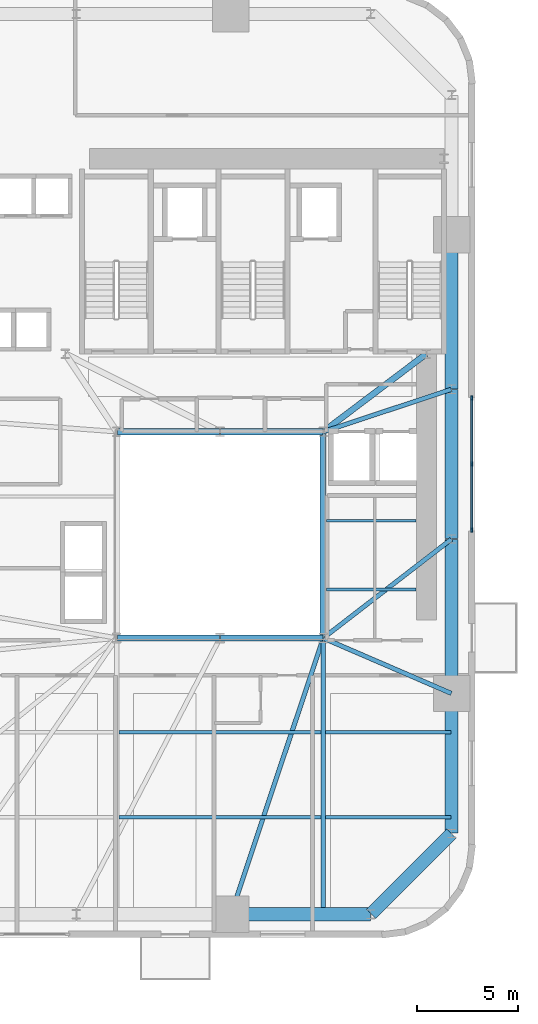
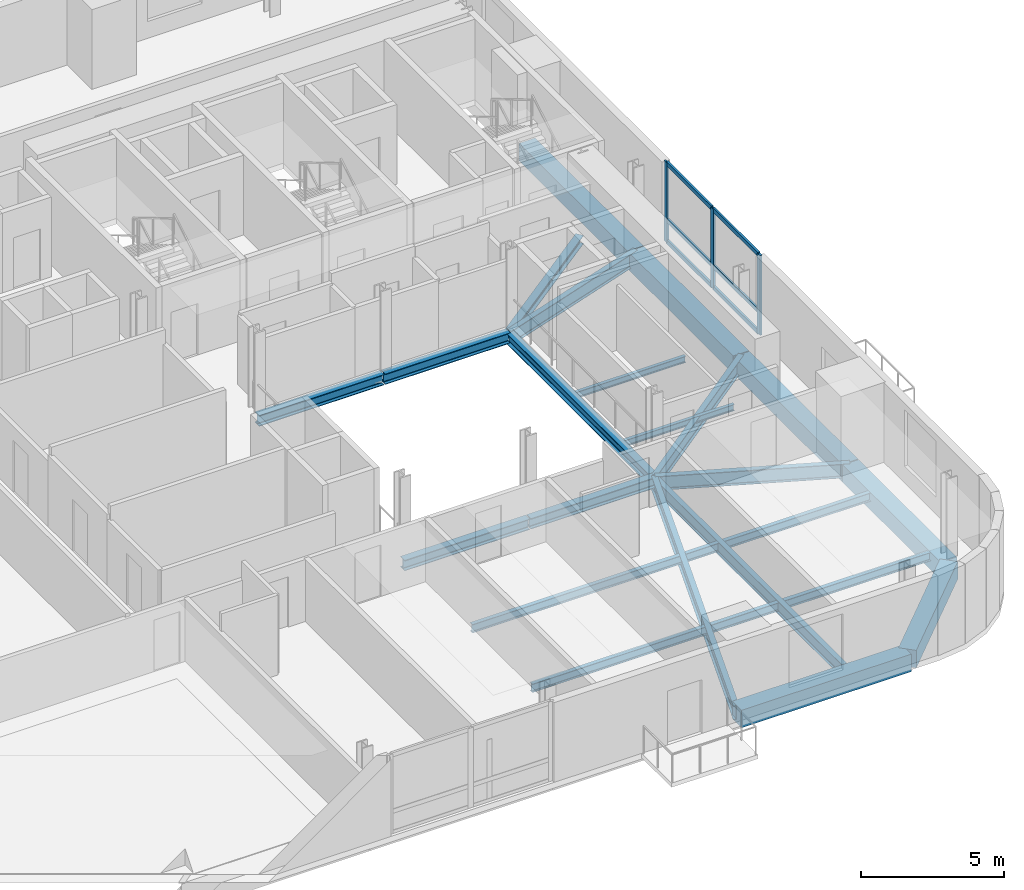
# One storey, part 3 of 13: 23 beams, 9 members, 1 element without a shape of its own.
"""IFC4 building model written with IfcOpenShell, lengths in metres."""

import ifcopenshell
import ifcopenshell.guid

model = None  # the IFC model being written
_history = None  # IfcOwnerHistory: only IFC2X3 demands one
_inside = {}  # id of a spatial element -> (the spatial element, [elements in it])
_under = {}  # id of a project, library or spatial element -> (it, [spatial elements below it])
_declared = {}  # id of a project -> (the project, [libraries it declares])
_typed = {}  # id of a type object -> (the type object, [elements of that type])
_made_of = {}  # id of a material, layer set ... -> (it, [elements and type objects made of it])


def new_model(schema):
    """Start an empty IFC model of exactly this schema.

    Asked for "IFC4X3", IfcOpenShell would pick the latest addendum, in which some entities
    have other attributes; the version numbers below select the first issue.
    IFC2X3 requires an IfcOwnerHistory on every rooted entity: one is made here for all.
    """
    global model, _history
    if schema == "IFC4X3":
        model = ifcopenshell.file(schema_version=(4, 3, 0, 0))
    else:
        model = ifcopenshell.file(schema=schema)
    _inside.clear()
    _under.clear()
    _declared.clear()
    _typed.clear()
    _made_of.clear()
    _history = None
    if model.schema == "IFC2X3":
        org = make("IfcOrganization", Name="unknown")
        user = make(
            "IfcPersonAndOrganization",
            ThePerson=make("IfcPerson", FamilyName="unknown"),
            TheOrganization=org,
        )
        app = make(
            "IfcApplication",
            ApplicationDeveloper=org,
            Version="unknown",
            ApplicationFullName="unknown",
            ApplicationIdentifier="unknown",
        )
        _history = make(
            "IfcOwnerHistory",
            OwningUser=user,
            OwningApplication=app,
            ChangeAction="ADDED",
            CreationDate=0,
        )
    return model


def make(cls, **values):
    """One entity of the class cls with the attributes given. An attribute that is None is left unset."""
    return model.create_entity(
        cls, **{name: value for name, value in values.items() if value is not None}
    )


def rooted(cls, **values):
    """An entity with a GlobalId (a new one), such as an element, a storey or a relation."""
    return make(cls, GlobalId=ifcopenshell.guid.new(), OwnerHistory=_history, **values)


def si_unit(unit_type, name, prefix=None):
    """IfcSIUnit, for example si_unit("LENGTHUNIT", "METRE", prefix="MILLI")."""
    return make("IfcSIUnit", UnitType=unit_type, Prefix=prefix, Name=name)


def assignment(units):
    """IfcUnitAssignment: the units of a project."""
    return None if units is None else make("IfcUnitAssignment", Units=units)


def point(xyz):
    """IfcCartesianPoint."""
    return None if xyz is None else make("IfcCartesianPoint", Coordinates=xyz)


def direction(xyz):
    """IfcDirection."""
    return None if xyz is None else make("IfcDirection", DirectionRatios=xyz)


def frame(location, z_axis=None, x_axis=None):
    """IfcAxis2Placement3D, a coordinate frame: its origin and axes. An axis left out is left unset."""
    return make(
        "IfcAxis2Placement3D",
        Location=point(location),
        Axis=direction(z_axis),
        RefDirection=direction(x_axis),
    )


def frame_2d(location, x_axis=None):
    """IfcAxis2Placement2D, a coordinate frame in the plane: its origin and x axis."""
    return make(
        "IfcAxis2Placement2D", Location=point(location), RefDirection=direction(x_axis)
    )


def origin():
    """The frame at (0, 0, 0) with its axes left unset."""
    return frame((0.0, 0.0, 0.0))


def origin_2d():
    """The frame at (0, 0) in the plane with its x axis left unset."""
    return frame_2d((0.0, 0.0))


def place(relative_to, where):
    """IfcLocalPlacement: puts the frame where relative to a parent placement (None: the world)."""
    return make(
        "IfcLocalPlacement", PlacementRelTo=relative_to, RelativePlacement=where
    )


def context(
    kind, dimensions, precision=None, world=None, true_north=None, identifier=None
):
    """IfcGeometricRepresentationContext, for example the 3D "Model" context."""
    return make(
        "IfcGeometricRepresentationContext",
        ContextIdentifier=identifier,
        ContextType=kind,
        CoordinateSpaceDimension=dimensions,
        Precision=precision,
        WorldCoordinateSystem=world,
        TrueNorth=true_north,
    )


def subcontext(parent, identifier, kind, view, scale=None):
    """IfcGeometricRepresentationSubContext, for example "Body" below "Model"."""
    return make(
        "IfcGeometricRepresentationSubContext",
        ContextIdentifier=identifier,
        ContextType=kind,
        ParentContext=parent,
        TargetScale=scale,
        TargetView=view,
    )


def project(units=None, contexts=None):
    """IfcProject with its units and contexts."""
    return rooted(
        "IfcProject",
        Name="project",
        RepresentationContexts=contexts,
        UnitsInContext=assignment(units),
    )


def spatial(cls, under=None, at=None, **own):
    """A site, building, storey or space (cls), placed at a placement, below another one or the project."""
    s = rooted(cls, ObjectPlacement=at, **own)
    if under is not None:
        _under.setdefault(under.id(), (under, []))[1].append(s)
    return s


def profile(cls, at=None, kind="AREA", **sizes):
    """A parametric profile (cls). Its sizes go by their IFC names, for example OverallWidth=200.0."""
    return make(cls, ProfileType=kind, Position=at, **sizes)


def rectangle(**sizes):
    """IfcRectangleProfileDef."""
    return profile("IfcRectangleProfileDef", **sizes)


def i_section(**sizes):
    """IfcIShapeProfileDef."""
    return profile("IfcIShapeProfileDef", **sizes)


def extrude(swept, where, along, depth):
    """IfcExtrudedAreaSolid: the profile swept, set in the frame where, extruded along a direction by depth."""
    return make(
        "IfcExtrudedAreaSolid",
        SweptArea=swept,
        Position=where,
        ExtrudedDirection=direction(along),
        Depth=depth,
    )


def shape(context_of_items, identifier, shape_type, items):
    """IfcShapeRepresentation: the items that make up one representation, for example the "Body"."""
    return make(
        "IfcShapeRepresentation",
        ContextOfItems=context_of_items,
        RepresentationIdentifier=identifier,
        RepresentationType=shape_type,
        Items=items,
    )


def source(mapping_origin, context_of_items, identifier, shape_type, items):
    """IfcRepresentationMap: a shape defined once, which mapped items show again and again."""
    return make(
        "IfcRepresentationMap",
        MappingOrigin=mapping_origin,
        MappedRepresentation=shape(context_of_items, identifier, shape_type, items),
    )


def transform(
    local_origin,
    x_axis=None,
    y_axis=None,
    z_axis=None,
    scale=None,
    scale2=None,
    scale3=None,
    uniform=True,
):
    """IfcCartesianTransformationOperator3D, or its non-uniform kind. x_axis, y_axis, z_axis: its Axis1, 2, 3."""
    if uniform:
        return make(
            "IfcCartesianTransformationOperator3D",
            Axis1=direction(x_axis),
            Axis2=direction(y_axis),
            LocalOrigin=point(local_origin),
            Scale=scale,
            Axis3=direction(z_axis),
        )
    return make(
        "IfcCartesianTransformationOperator3DnonUniform",
        Axis1=direction(x_axis),
        Axis2=direction(y_axis),
        LocalOrigin=point(local_origin),
        Scale=scale,
        Axis3=direction(z_axis),
        Scale2=scale2,
        Scale3=scale3,
    )


def mapped(mapping_source, mapping_target):
    """IfcMappedItem: shows the shape of a source again, moved by a transform."""
    return make(
        "IfcMappedItem", MappingSource=mapping_source, MappingTarget=mapping_target
    )


def material(Name=None, Category=None):
    """IfcMaterial."""
    return make("IfcMaterial", Name=Name, Category=Category)


def material_profile(
    of_material, cross_section, Name=None, Category=None, Priority=None
):
    """IfcMaterialProfile: a cross section and its material."""
    return make(
        "IfcMaterialProfile",
        Name=Name,
        Material=of_material,
        Profile=cross_section,
        Priority=Priority,
        Category=Category,
    )


def profile_set(profiles, Name=None, composite=None):
    """IfcMaterialProfileSet."""
    return make(
        "IfcMaterialProfileSet",
        Name=Name,
        MaterialProfiles=profiles,
        CompositeProfile=composite,
    )


def made_of(thing, what):
    """Note that an element or type object is made of a material, layer set ...; save() writes the relation."""
    if what is not None:
        _made_of.setdefault(what.id(), (what, []))[1].append(thing)
    return thing


def type_object(cls, material=None, **own):
    """A type object (cls), such as IfcWallType, which elements share."""
    return made_of(rooted(cls, **own), material)


def element(
    cls,
    number,
    at=None,
    inside=None,
    cuts=None,
    type_object=None,
    material=None,
    context=None,
    identifier="Body",
    shape_type=None,
    held_by="IfcProductDefinitionShape",
    body=None,
    shapes=None,
    **own,
):
    """One element of the class cls, such as IfcWall. Its Tag is "e" and its number.

    at: its placement. inside: the storey or other place that contains it. cuts: it is an
    opening in that element (IfcRelVoidsElement). A single representation is given by context,
    identifier, shape_type and body (its items); several are given by shapes. held_by: the class
    of the entity that holds the representations. save() writes the other relations.
    """
    e = rooted(cls, Tag="e%d" % number, ObjectPlacement=at, **own)
    if body is not None:
        shapes = [shape(context, identifier, shape_type, body)]
    if shapes is not None:
        e.Representation = make(held_by, Representations=shapes)
    if inside is not None:
        _inside.setdefault(inside.id(), (inside, []))[1].append(e)
    if cuts is not None:
        rooted(
            "IfcRelVoidsElement", RelatingBuildingElement=cuts, RelatedOpeningElement=e
        )
    if type_object is not None:
        _typed.setdefault(type_object.id(), (type_object, []))[1].append(e)
    return made_of(e, material)


def aggregate(whole, parts):
    """IfcRelAggregates: a whole, such as a stair, and the parts it consists of."""
    return rooted("IfcRelAggregates", RelatingObject=whole, RelatedObjects=parts)


def save(model, path):
    """Write the relations noted so far, then the file.

    IfcRelAggregates (storeys below a building ...), IfcRelContainedInSpatialStructure (elements
    in a storey), IfcRelDefinesByType, IfcRelAssociatesMaterial and IfcRelDeclares: one each for
    every whole, place, type object, material and project.
    """
    for whole, parts in _under.values():
        aggregate(whole, parts)
    for where, things in _inside.values():
        rooted(
            "IfcRelContainedInSpatialStructure",
            RelatedElements=things,
            RelatingStructure=where,
        )
    for kind, things in _typed.values():
        rooted("IfcRelDefinesByType", RelatedObjects=things, RelatingType=kind)
    for what, things in _made_of.values():
        rooted("IfcRelAssociatesMaterial", RelatedObjects=things, RelatingMaterial=what)
    for by, libraries in _declared.values():
        rooted("IfcRelDeclares", RelatingContext=by, RelatedDefinitions=libraries)
    model.write(path)


model = new_model("IFC4")

# Units and contexts
model_context = context("Model", 3, precision=1e-05, world=origin(), true_north=direction((0.0, 1.0)))
body_context = subcontext(model_context, "Body", "Model", "MODEL_VIEW")
ifc_project = project(units=[si_unit("LENGTHUNIT", "METRE"), si_unit("AREAUNIT", "SQUARE_METRE"), si_unit("VOLUMEUNIT", "CUBIC_METRE"), si_unit("PLANEANGLEUNIT", "RADIAN"), si_unit("MASSUNIT", "GRAM", prefix="KILO")], contexts=[model_context])

# Site, building, storey
site_placement = place(None, origin())
site = spatial("IfcSite", under=ifc_project, at=site_placement, CompositionType="ELEMENT")
building_placement = place(site_placement, origin())
building = spatial("IfcBuilding", under=site, at=building_placement, Name="Vardaveli Station Tower", CompositionType="ELEMENT")
storey_placement = place(building_placement, frame((0.0, 0.0, 45.85009765625)))
storey = spatial("IfcBuildingStorey", under=building, at=storey_placement, Name="L11", CompositionType="ELEMENT", Elevation=45.85009765625)

# Beams
ifc_material_1 = material(Name="Structural steel S355J2", Category="steel")
ifc_material_profile_1 = material_profile(ifc_material_1, i_section(OverallWidth=0.300048828125, OverallDepth=0.449951171875, WebThickness=0.013916015625, FlangeThickness=0.02587890625, FilletRadius=0.027099609375, at=origin_2d()), Name="HEB 450")
ifc_profile_set_1 = profile_set([ifc_material_profile_1], Name="Structural steel S355J2")
beam_type_1 = type_object("IfcBeamType", Name="BM-HEB450", PredefinedType="BEAM", material=ifc_profile_set_1)
shared_shape_1 = source(origin(), body_context, "Body", "SweptSolid", [
    extrude(i_section(OverallWidth=0.300048828125, OverallDepth=0.449951171875, WebThickness=0.013916015625, FlangeThickness=0.02587890625, FilletRadius=0.027099609375, at=origin_2d()), origin(), (0.0, 0.0, 1.0), 5.06005859375),
])
for number, where, z_axis, x_axis, name in (
    (1, (31.219970703125, 16.60009765625, -0.465087890625), (1.0, 0.0, 0.0), (0.0, 1.0, 0.0), "ABM-L11-01"),
    (2, (36.280029296875, 26.800048828125, -0.465087890625), (-1.0, 0.0, 0.0), (0.0, -1.0, 0.0), "ABM-L11-05"),
):
    element("IfcBeam", number, at=place(storey_placement, frame(where, z_axis=z_axis, x_axis=x_axis)), inside=storey, type_object=beam_type_1, Name=name, PredefinedType="BEAM", context=body_context, shape_type="MappedRepresentation", body=[
        mapped(shared_shape_1, transform((0.0, 0.0, 0.0), scale=1.0)),
    ])
shared_shape_2 = source(origin(), body_context, "Body", "SweptSolid", [
    extrude(i_section(OverallWidth=0.300048828125, OverallDepth=0.449951171875, WebThickness=0.013916015625, FlangeThickness=0.02587890625, FilletRadius=0.027099609375, at=origin_2d()), origin(), (0.0, 0.0, 1.0), 5.059814453125),
])
for number, where, z_axis, x_axis, name in (
    (3, (36.320068359375, 16.60009765625, -0.465087890625), (1.0, 0.0, 0.0), (0.0, 1.0, 0.0), "ABM-L11-02"),
    (4, (41.3798828125, 26.800048828125, -0.465087890625), (-1.0, 0.0, 0.0), (0.0, -1.0, 0.0), "ABM-L11-04"),
):
    element("IfcBeam", number, at=place(storey_placement, frame(where, z_axis=z_axis, x_axis=x_axis)), inside=storey, type_object=beam_type_1, Name=name, PredefinedType="BEAM", context=body_context, shape_type="MappedRepresentation", body=[
        mapped(shared_shape_2, transform((0.0, 0.0, 0.0), scale=1.0)),
    ])
shared_shape_3 = source(origin(), body_context, "Body", "SweptSolid", [
    extrude(i_section(OverallWidth=0.300048828125, OverallDepth=0.449951171875, WebThickness=0.013916015625, FlangeThickness=0.02587890625, FilletRadius=0.027099609375, at=origin_2d()), origin(), (0.0, 0.0, 1.0), 10.159912109375),
])
beam_1_placement = place(storey_placement, frame((41.39990234375, 16.6201171875, -0.465087890625), z_axis=(0.0, 1.0, 0.0), x_axis=(-1.0, 0.0, 0.0)))
element("IfcBeam", 5, at=beam_1_placement, inside=storey, type_object=beam_type_1, Name="ABM-L11-03", PredefinedType="BEAM", context=body_context, shape_type="MappedRepresentation", body=[
    mapped(shared_shape_3, transform((0.0, 0.0, 0.0), scale=1.0)),
])
ifc_material_profile_2 = material_profile(ifc_material_1, i_section(OverallWidth=0.300048828125, OverallDepth=0.360107421875, WebThickness=0.012451171875, FlangeThickness=0.0224609375, FilletRadius=0.027099609375, at=origin_2d()), Name="HEB 360")
ifc_profile_set_2 = profile_set([ifc_material_profile_2], Name="Structural steel S355J2")
beam_type_2 = type_object("IfcBeamType", Name="BM-HEB360", PredefinedType="BEAM", material=ifc_profile_set_2)
shared_shape_4 = source(origin(), body_context, "Body", "SweptSolid", [
    extrude(i_section(OverallWidth=0.300048828125, OverallDepth=0.360107421875, WebThickness=0.012451171875, FlangeThickness=0.0224609375, FilletRadius=0.027099609375, at=origin_2d()), origin(), (0.0, 0.0, 1.0), 6.35009765625),
])
beam_2_placement = place(storey_placement, frame((41.416015625, 26.81201171875, -0.420166015625), z_axis=(0.798118337722, 0.602500721154, 0.0), x_axis=(-0.602500721154, 0.798118337722, 0.0)))
element("IfcBeam", 6, at=beam_2_placement, inside=storey, type_object=beam_type_2, Name="CBM-L11-02", PredefinedType="BEAM", context=body_context, shape_type="MappedRepresentation", body=[
    mapped(shared_shape_4, transform((0.0, 0.0, 0.0), scale=1.0)),
])
ifc_material_2 = material(Name="Precast concrete C45/55", Category="concrete")
ifc_material_profile_3 = material_profile(ifc_material_2, rectangle(XDim=0.64990234375, YDim=0.75, at=origin_2d()), Name="LPB 650x750")
ifc_profile_set_3 = profile_set([ifc_material_profile_3], Name="Precast concrete C45/55")
beam_type_3 = type_object("IfcBeamType", Name="BM-LPB-750", PredefinedType="BEAM", material=ifc_profile_set_3)
shared_shape_5 = source(origin(), body_context, "Body", "SweptSolid", [
    extrude(rectangle(XDim=0.64990234375, YDim=0.75, at=origin_2d()), origin(), (0.0, 0.0, 1.0), 7.60009765625),
])
for number, where, z_axis, x_axis, name in (
    (7, (47.75, 13.8798828125, -0.614990234375), (0.0, 1.0, 0.0), (-1.0, 0.0, 0.0), "RBM-L11-07"),
    (8, (47.75, 28.919921875, -0.614990234375), (0.0, 1.0, 0.0), (-1.0, 0.0, 0.0), "RBM-L11-09"),
):
    element("IfcBeam", number, at=place(storey_placement, frame(where, z_axis=z_axis, x_axis=x_axis)), inside=storey, type_object=beam_type_3, Name=name, PredefinedType="BEAM", context=body_context, shape_type="MappedRepresentation", body=[
        mapped(shared_shape_5, transform((0.0, 0.0, 0.0), scale=1.0)),
    ])
shared_shape_6 = source(origin(), body_context, "Body", "SweptSolid", [
    extrude(rectangle(XDim=0.64990234375, YDim=0.75, at=origin_2d()), origin(), (0.0, 0.0, 1.0), 7.35986328125),
])
beam_3_placement = place(storey_placement, frame((47.75, 21.52001953125, -0.614990234375), z_axis=(0.0, 1.0, 0.0), x_axis=(-1.0, 0.0, 0.0)))
element("IfcBeam", 9, at=beam_3_placement, inside=storey, type_object=beam_type_3, Name="RBM-L11-08", PredefinedType="BEAM", context=body_context, shape_type="MappedRepresentation", body=[
    mapped(shared_shape_6, transform((0.0, 0.0, 0.0), scale=1.0)),
])
shared_shape_7 = source(origin(), body_context, "Body", "SweptSolid", [
    extrude(rectangle(XDim=0.64990234375, YDim=0.75, at=origin_2d()), origin(), (0.0, 0.0, 1.0), 6.869873046875),
])
beam_4_placement = place(storey_placement, frame((36.860107421875, 2.949951171875, -0.614990234375), z_axis=(1.0, 0.0, 0.0), x_axis=(0.0, 1.0, 0.0)))
element("IfcBeam", 10, at=beam_4_placement, inside=storey, type_object=beam_type_3, Name="RBM-L11-04", PredefinedType="BEAM", context=body_context, shape_type="MappedRepresentation", body=[
    mapped(shared_shape_7, transform((0.0, 0.0, 0.0), scale=1.0)),
])
shared_shape_8 = source(origin(), body_context, "Body", "SweptSolid", [
    extrude(rectangle(XDim=0.64990234375, YDim=0.75, at=origin_2d()), origin(), (0.0, 0.0, 1.0), 5.61669921875),
])
beam_5_placement = place(storey_placement, frame((43.76416015625, 2.964111328125, -0.614990234375), z_axis=(0.707106781187, 0.707106781187, 0.0), x_axis=(-0.707106781187, 0.707106781187, 0.0)))
element("IfcBeam", 11, at=beam_5_placement, inside=storey, type_object=beam_type_3, Name="RBM-L11-05", PredefinedType="BEAM", context=body_context, shape_type="MappedRepresentation", body=[
    mapped(shared_shape_8, transform((0.0, 0.0, 0.0), scale=1.0)),
])
shared_shape_9 = source(origin(), body_context, "Body", "SweptSolid", [
    extrude(rectangle(XDim=0.64990234375, YDim=0.75, at=origin_2d()), origin(), (0.0, 0.0, 1.0), 6.8701171875),
])
beam_6_placement = place(storey_placement, frame((47.75, 6.969970703125, -0.614990234375), z_axis=(0.0, 1.0, 0.0), x_axis=(-1.0, 0.0, 0.0)))
element("IfcBeam", 12, at=beam_6_placement, inside=storey, type_object=beam_type_3, Name="RBM-L11-06", PredefinedType="BEAM", context=body_context, shape_type="MappedRepresentation", body=[
    mapped(shared_shape_9, transform((0.0, 0.0, 0.0), scale=1.0)),
])
ifc_material_profile_4 = material_profile(ifc_material_1, i_section(OverallWidth=0.219970703125, OverallDepth=0.60009765625, WebThickness=0.011962890625, FlangeThickness=0.01904296875, FilletRadius=0.02392578125, at=origin_2d()), Name="IPE 600")
ifc_profile_set_4 = profile_set([ifc_material_profile_4], Name="Structural steel S355J2")
beam_type_4 = type_object("IfcBeamType", Name="BM-IPE600", PredefinedType="BEAM", material=ifc_profile_set_4)
shared_shape_10 = source(origin(), body_context, "Body", "SweptSolid", [
    extrude(i_section(OverallWidth=0.219970703125, OverallDepth=0.60009765625, WebThickness=0.011962890625, FlangeThickness=0.01904296875, FilletRadius=0.02392578125, at=origin_2d()), origin(), (0.0, 0.0, 1.0), 14.3515625),
])
beam_7_placement = place(storey_placement, frame((36.846435546875, 2.968994140625, -0.5400390625), z_axis=(0.316840115921, 0.948478961782, 0.0), x_axis=(-0.948478961782, 0.316840115921, 0.0)))
element("IfcBeam", 13, at=beam_7_placement, inside=storey, type_object=beam_type_4, Name="GBM-L11-04", PredefinedType="BEAM", context=body_context, shape_type="MappedRepresentation", body=[
    mapped(shared_shape_10, transform((0.0, 0.0, 0.0), scale=1.0)),
])
shared_shape_11 = source(origin(), body_context, "Body", "SweptSolid", [
    extrude(i_section(OverallWidth=0.219970703125, OverallDepth=0.60009765625, WebThickness=0.011962890625, FlangeThickness=0.01904296875, FilletRadius=0.02392578125, at=origin_2d()), origin(), (0.0, 0.0, 1.0), 6.8759765625),
])
beam_8_placement = place(storey_placement, frame((47.731689453125, 13.867919921875, -0.5400390625), z_axis=(-0.918170694621, 0.396185026899, 0.0), x_axis=(-0.396185026899, -0.918170694621, 0.0)))
element("IfcBeam", 14, at=beam_8_placement, inside=storey, type_object=beam_type_4, Name="GBM-L11-05", PredefinedType="BEAM", context=body_context, shape_type="MappedRepresentation", body=[
    mapped(shared_shape_11, transform((0.0, 0.0, 0.0), scale=1.0)),
])
shared_shape_12 = source(origin(), body_context, "Body", "SweptSolid", [
    extrude(i_section(OverallWidth=0.219970703125, OverallDepth=0.60009765625, WebThickness=0.011962890625, FlangeThickness=0.01904296875, FilletRadius=0.02392578125, at=origin_2d()), origin(), (0.0, 0.0, 1.0), 7.980712890625),
])
beam_9_placement = place(storey_placement, frame((47.734130859375, 21.48779296875, -0.5400390625), z_axis=(-0.791701934907, -0.610907559509, 0.0), x_axis=(0.610907559509, -0.791701934907, 0.0)))
element("IfcBeam", 15, at=beam_9_placement, inside=storey, type_object=beam_type_4, Name="GBM-L11-06", PredefinedType="BEAM", context=body_context, shape_type="MappedRepresentation", body=[
    mapped(shared_shape_12, transform((0.0, 0.0, 0.0), scale=1.0)),
])
shared_shape_13 = source(origin(), body_context, "Body", "SweptSolid", [
    extrude(i_section(OverallWidth=0.219970703125, OverallDepth=0.60009765625, WebThickness=0.011962890625, FlangeThickness=0.01904296875, FilletRadius=0.02392578125, at=origin_2d()), origin(), (0.0, 0.0, 1.0), 6.648193359375),
])
beam_10_placement = place(storey_placement, frame((47.73095703125, 28.893798828125, -0.5400390625), z_axis=(-0.949429779906, -0.313979446824, 0.0), x_axis=(0.313979446824, -0.949429779906, 0.0)))
element("IfcBeam", 16, at=beam_10_placement, inside=storey, type_object=beam_type_4, Name="GBM-L11-07", PredefinedType="BEAM", context=body_context, shape_type="MappedRepresentation", body=[
    mapped(shared_shape_13, transform((0.0, 0.0, 0.0), scale=1.0)),
])
ifc_material_profile_5 = material_profile(ifc_material_1, i_section(OverallWidth=0.2099609375, OverallDepth=0.550048828125, WebThickness=0.010986328125, FlangeThickness=0.01708984375, FilletRadius=0.02392578125, at=origin_2d()), Name="IPE 550")
ifc_profile_set_5 = profile_set([ifc_material_profile_5], Name="Structural steel S355J2")
beam_type_5 = type_object("IfcBeamType", Name="BM-IPE550", PredefinedType="BEAM", material=ifc_profile_set_5)
shared_shape_14 = source(origin(), body_context, "Body", "SweptSolid", [
    extrude(i_section(OverallWidth=0.2099609375, OverallDepth=0.550048828125, WebThickness=0.010986328125, FlangeThickness=0.01708984375, FilletRadius=0.02392578125, at=origin_2d()), origin(), (0.0, 0.0, 1.0), 13.469970703125),
])
beam_11_placement = place(storey_placement, frame((41.39990234375, 2.989990234375, -0.51513671875), z_axis=(0.0, 1.0, 0.0), x_axis=(-1.0, 0.0, 0.0)))
element("IfcBeam", 17, at=beam_11_placement, inside=storey, type_object=beam_type_5, Name="NSM-L11-S2", PredefinedType="BEAM", context=body_context, shape_type="MappedRepresentation", body=[
    mapped(shared_shape_14, transform((0.0, 0.0, 0.0), scale=1.0)),
])
ifc_material_profile_6 = material_profile(ifc_material_1, i_section(OverallWidth=0.169921875, OverallDepth=0.360107421875, WebThickness=0.008056640625, FlangeThickness=0.0126953125, FilletRadius=0.01806640625, at=origin_2d()), Name="IPE 360")
ifc_profile_set_6 = profile_set([ifc_material_profile_6], Name="Structural steel S355J2")
beam_type_6 = type_object("IfcBeamType", Name="BM-IPE360", PredefinedType="JOIST", material=ifc_profile_set_6)
shared_shape_15 = source(origin(), body_context, "Body", "SweptSolid", [
    extrude(i_section(OverallWidth=0.169921875, OverallDepth=0.360107421875, WebThickness=0.008056640625, FlangeThickness=0.0126953125, FilletRadius=0.01806640625, at=origin_2d()), origin(), (0.0, 0.0, 1.0), 9.97607421875),
])
for number, where, z_axis, x_axis, name in (
    (18, (31.31201171875, 7.75, -0.420166015625), (1.0, 0.0, 0.0), (0.0, 1.0, 0.0), "SJ-L11-S02"),
    (19, (31.31201171875, 11.949951171875, -0.420166015625), (1.0, 0.0, 0.0), (0.0, 1.0, 0.0), "SJ-L11-S05"),
):
    element("IfcBeam", number, at=place(storey_placement, frame(where, z_axis=z_axis, x_axis=x_axis)), inside=storey, type_object=beam_type_6, Name=name, PredefinedType="JOIST", context=body_context, shape_type="MappedRepresentation", body=[
        mapped(shared_shape_15, transform((0.0, 0.0, 0.0), scale=1.0)),
    ])
shared_shape_16 = source(origin(), body_context, "Body", "SweptSolid", [
    extrude(i_section(OverallWidth=0.169921875, OverallDepth=0.360107421875, WebThickness=0.008056640625, FlangeThickness=0.0126953125, FilletRadius=0.01806640625, at=origin_2d()), origin(), (0.0, 0.0, 1.0), 6.197998046875),
])
for number, where, z_axis, x_axis, name in (
    (20, (41.511962890625, 7.75, -0.420166015625), (1.0, 0.0, 0.0), (0.0, 1.0, 0.0), "SJ-L11-S03"),
    (21, (41.511962890625, 11.949951171875, -0.420166015625), (1.0, 0.0, 0.0), (0.0, 1.0, 0.0), "SJ-L11-S06"),
):
    element("IfcBeam", number, at=place(storey_placement, frame(where, z_axis=z_axis, x_axis=x_axis)), inside=storey, type_object=beam_type_6, Name=name, PredefinedType="JOIST", context=body_context, shape_type="MappedRepresentation", body=[
        mapped(shared_shape_16, transform((0.0, 0.0, 0.0), scale=1.0)),
    ])
ifc_material_profile_7 = material_profile(ifc_material_1, i_section(OverallWidth=0.135009765625, OverallDepth=0.27001953125, WebThickness=0.006591796875, FlangeThickness=0.01025390625, FilletRadius=0.014892578125, at=origin_2d()), Name="IPE 270")
ifc_profile_set_7 = profile_set([ifc_material_profile_7], Name="Structural steel S355J2")
beam_type_7 = type_object("IfcBeamType", Name="BM-IPE270", PredefinedType="BEAM", material=ifc_profile_set_7)
shared_shape_17 = source(origin(), body_context, "Body", "SweptSolid", [
    extrude(i_section(OverallWidth=0.135009765625, OverallDepth=0.27001953125, WebThickness=0.006591796875, FlangeThickness=0.01025390625, FilletRadius=0.014892578125, at=origin_2d()), origin(), (0.0, 0.0, 1.0), 4.43017578125),
])
for number, where, z_axis, x_axis, name in (
    (22, (41.56494140625, 19.0, -0.375), (1.0, 0.0, 0.0), (0.0, 1.0, 0.0), "TJ-L11-01"),
    (23, (41.56494140625, 22.39990234375, -0.375), (1.0, 0.0, 0.0), (0.0, 1.0, 0.0), "TJ-L11-02"),
):
    element("IfcBeam", number, at=place(storey_placement, frame(where, z_axis=z_axis, x_axis=x_axis)), inside=storey, type_object=beam_type_7, Name=name, PredefinedType="BEAM", context=body_context, shape_type="MappedRepresentation", body=[
        mapped(shared_shape_17, transform((0.0, 0.0, 0.0), scale=1.0)),
    ])

# Curtain wall, members
ifc_material_3 = material(Name="Travertine stone and solar-control glass", Category="masonry")
curtain_wall_type = type_object("IfcCurtainWallType", Name="CW-SYS-2", PredefinedType="NOTDEFINED", material=ifc_material_3)
curtain_wall_placement = place(storey_placement, origin())
curtain_wall = element("IfcCurtainWall", 24, at=curtain_wall_placement, inside=storey, type_object=curtain_wall_type, Name="CW-L11-E", PredefinedType="NOTDEFINED")
ifc_material_4 = material(Name="Anodised aluminium alloy 6063-T6", Category="aluminium")
ifc_material_profile_8 = material_profile(ifc_material_4, rectangle(XDim=0.0849609375, YDim=0.219970703125, at=origin_2d()), Name="CWM 85x220")
ifc_profile_set_8 = profile_set([ifc_material_profile_8], Name="Anodised aluminium alloy 6063-T6")
member_type_1 = type_object("IfcMemberType", Name="CW-SYS-2-MULL", PredefinedType="MULLION", material=ifc_profile_set_8)
shared_shape_18 = source(origin(), body_context, "Body", "SweptSolid", [
    extrude(rectangle(XDim=0.0849609375, YDim=0.219970703125, at=origin_2d()), origin(), (0.0, 0.0, 1.0), 3.409912109375),
])
member_1_placement = place(storey_placement, frame((48.739990234375, 21.9423828125, 0.0), z_axis=(0.0, 0.0, 1.0), x_axis=(-1.0, 0.0, 0.0)))
member_1 = element("IfcMember", 25, at=member_1_placement, type_object=member_type_1, Name="CW-2 mullion 1", PredefinedType="MULLION", context=body_context, shape_type="MappedRepresentation", body=[
    mapped(shared_shape_18, transform((0.0, 0.0, 0.0), scale=1.0)),
])
member_2_placement = place(storey_placement, frame((48.739990234375, 25.199951171875, 0.0), z_axis=(0.0, 0.0, 1.0), x_axis=(-1.0, 0.0, 0.0)))
member_2 = element("IfcMember", 26, at=member_2_placement, type_object=member_type_1, Name="CW-2 mullion 2", PredefinedType="MULLION", context=body_context, shape_type="MappedRepresentation", body=[
    mapped(shared_shape_18, transform((0.0, 0.0, 0.0), scale=1.0)),
])
member_3_placement = place(storey_placement, frame((48.739990234375, 28.45751953125, 0.0), z_axis=(0.0, 0.0, 1.0), x_axis=(-1.0, 0.0, 0.0)))
member_3 = element("IfcMember", 27, at=member_3_placement, type_object=member_type_1, Name="CW-2 mullion 3", PredefinedType="MULLION", context=body_context, shape_type="MappedRepresentation", body=[
    mapped(shared_shape_18, transform((0.0, 0.0, 0.0), scale=1.0)),
])
ifc_material_profile_9 = material_profile(ifc_material_4, rectangle(XDim=0.0849609375, YDim=0.179931640625, at=origin_2d()), Name="CWT 85x180")
ifc_profile_set_9 = profile_set([ifc_material_profile_9], Name="Anodised aluminium alloy 6063-T6")
member_type_2 = type_object("IfcMemberType", Name="CW-SYS-2-TRAN", PredefinedType="NOTDEFINED", material=ifc_profile_set_9)
shared_shape_19 = source(origin(), body_context, "Body", "SweptSolid", [
    extrude(rectangle(XDim=0.0849609375, YDim=0.179931640625, at=origin_2d()), origin(), (0.0, 0.0, 1.0), 3.172607421875),
])
member_4_placement = place(storey_placement, frame((48.739990234375, 25.242431640625, 0.04248046875), z_axis=(0.0, 1.0, 0.0), x_axis=(-1.0, 0.0, 0.0)))
member_4 = element("IfcMember", 28, at=member_4_placement, type_object=member_type_2, Name="CW-2 transom 2.1", ObjectType="TRANSOM", PredefinedType="USERDEFINED", context=body_context, shape_type="MappedRepresentation", body=[
    mapped(shared_shape_19, transform((0.0, 0.0, 0.0), scale=1.0)),
])
member_5_placement = place(storey_placement, frame((48.739990234375, 25.242431640625, 0.949951171875), z_axis=(0.0, 1.0, 0.0), x_axis=(-1.0, 0.0, 0.0)))
member_5 = element("IfcMember", 29, at=member_5_placement, type_object=member_type_2, Name="CW-2 transom 2.2", ObjectType="TRANSOM", PredefinedType="USERDEFINED", context=body_context, shape_type="MappedRepresentation", body=[
    mapped(shared_shape_19, transform((0.0, 0.0, 0.0), scale=1.0)),
])
member_6_placement = place(storey_placement, frame((48.739990234375, 25.242431640625, 3.367431640625), z_axis=(0.0, 1.0, 0.0), x_axis=(-1.0, 0.0, 0.0)))
member_6 = element("IfcMember", 30, at=member_6_placement, type_object=member_type_2, Name="CW-2 transom 2.3", ObjectType="TRANSOM", PredefinedType="USERDEFINED", context=body_context, shape_type="MappedRepresentation", body=[
    mapped(shared_shape_19, transform((0.0, 0.0, 0.0), scale=1.0)),
])
shared_shape_20 = source(origin(), body_context, "Body", "SweptSolid", [
    extrude(rectangle(XDim=0.0849609375, YDim=0.179931640625, at=origin_2d()), origin(), (0.0, 0.0, 1.0), 3.17236328125),
])
member_7_placement = place(storey_placement, frame((48.739990234375, 21.985107421875, 0.04248046875), z_axis=(0.0, 1.0, 0.0), x_axis=(-1.0, 0.0, 0.0)))
member_7 = element("IfcMember", 31, at=member_7_placement, type_object=member_type_2, Name="CW-2 transom 1.1", ObjectType="TRANSOM", PredefinedType="USERDEFINED", context=body_context, shape_type="MappedRepresentation", body=[
    mapped(shared_shape_20, transform((0.0, 0.0, 0.0), scale=1.0)),
])
member_8_placement = place(storey_placement, frame((48.739990234375, 21.985107421875, 0.949951171875), z_axis=(0.0, 1.0, 0.0), x_axis=(-1.0, 0.0, 0.0)))
member_8 = element("IfcMember", 32, at=member_8_placement, type_object=member_type_2, Name="CW-2 transom 1.2", ObjectType="TRANSOM", PredefinedType="USERDEFINED", context=body_context, shape_type="MappedRepresentation", body=[
    mapped(shared_shape_20, transform((0.0, 0.0, 0.0), scale=1.0)),
])
member_9_placement = place(storey_placement, frame((48.739990234375, 21.985107421875, 3.367431640625), z_axis=(0.0, 1.0, 0.0), x_axis=(-1.0, 0.0, 0.0)))
member_9 = element("IfcMember", 33, at=member_9_placement, type_object=member_type_2, Name="CW-2 transom 1.3", ObjectType="TRANSOM", PredefinedType="USERDEFINED", context=body_context, shape_type="MappedRepresentation", body=[
    mapped(shared_shape_20, transform((0.0, 0.0, 0.0), scale=1.0)),
])
aggregate(curtain_wall, [member_1, member_2, member_3, member_7, member_8, member_9, member_4, member_5, member_6])

save(model, "model.ifc")
